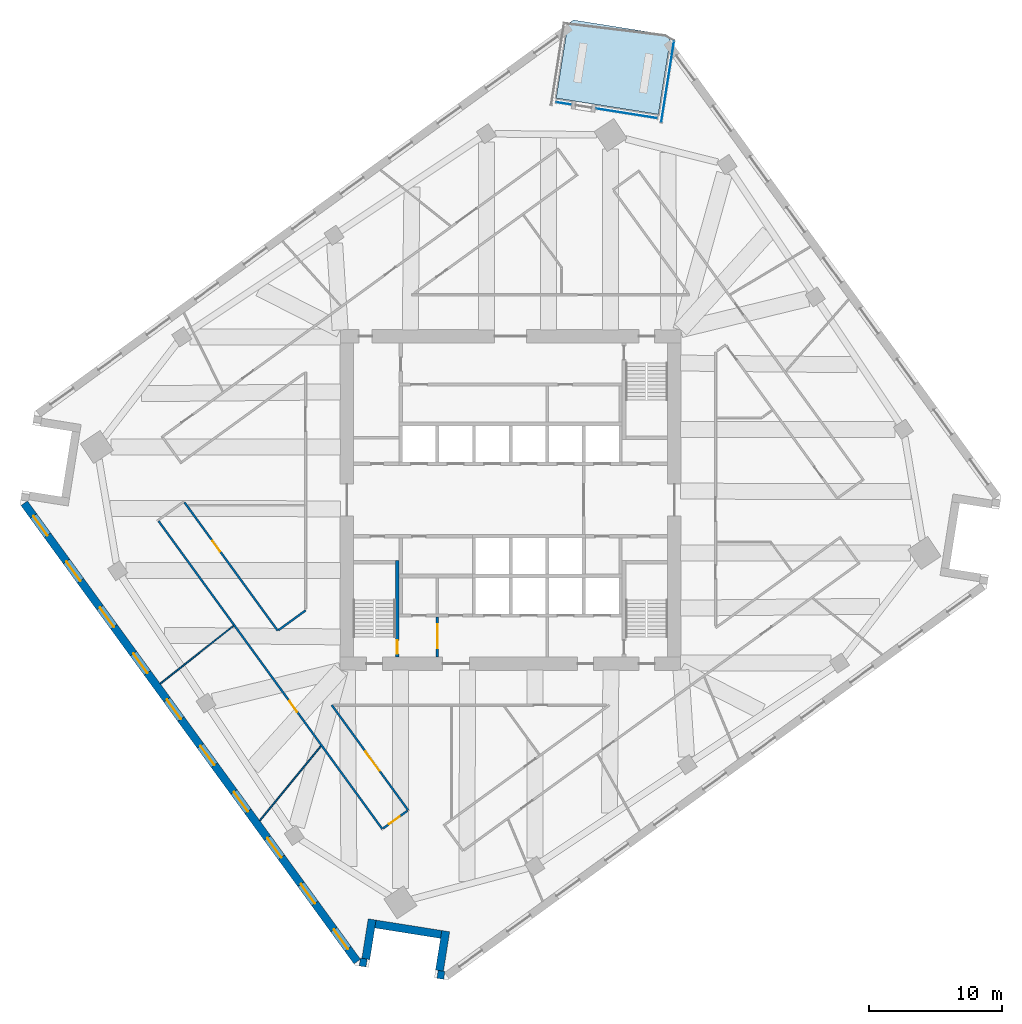
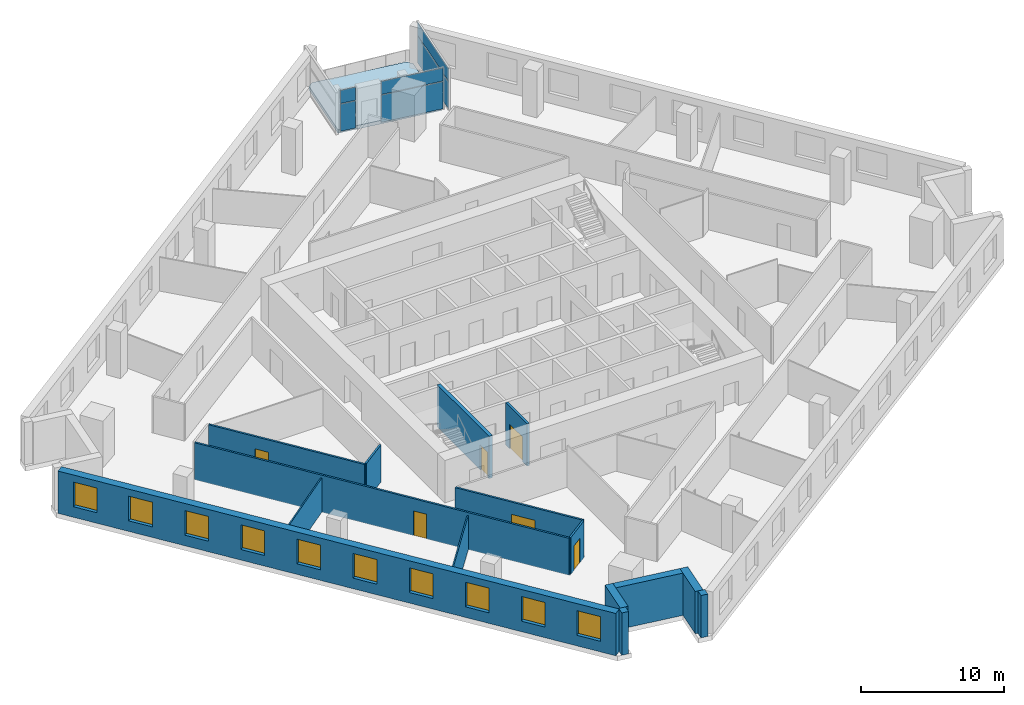
# One storey, part 4 of 11: 15 walls, 10 windows, 6 doors, 6 plates, 1 slab, 16 openings, 3 elements without a shape of their own.
"""IFC4 building model written with IfcOpenShell, lengths in metres."""

from ifc_helpers import new_model, si_unit, direction, frame, frame_2d, origin, origin_2d, place, context, subcontext, project, spatial, polyline, rectangle, outline, extrude, material, layer, layer_set, type_object, element, fill, aggregate, save


model = new_model("IFC4")

# Units and contexts
model_context = context("Model", 3, precision=1e-05, world=origin(), true_north=direction((0.0, 1.0)))
body_context = subcontext(model_context, "Body", "Model", "MODEL_VIEW")
ifc_project = project(units=[si_unit("LENGTHUNIT", "METRE"), si_unit("AREAUNIT", "SQUARE_METRE"), si_unit("VOLUMEUNIT", "CUBIC_METRE"), si_unit("PLANEANGLEUNIT", "RADIAN"), si_unit("MASSUNIT", "GRAM", prefix="KILO")], contexts=[model_context])

# Site, building, storey
site_placement = place(None, origin())
site = spatial("IfcSite", under=ifc_project, at=site_placement, CompositionType="ELEMENT")
building_placement = place(site_placement, origin())
building = spatial("IfcBuilding", under=site, at=building_placement, Name="Dilmun Exchange Tower", CompositionType="ELEMENT")
storey_placement = place(building_placement, frame((0.0, 0.0, 163.699951171875)))
storey = spatial("IfcBuildingStorey", under=building, at=storey_placement, Name="L38", CompositionType="ELEMENT", Elevation=163.699951171875)

# Curtain wall, plates
ifc_material_1 = material(Name="Anodised aluminium and clear glass", Category="aluminium")
curtain_wall_type = type_object("IfcCurtainWallType", Name="Garden corner glazing", PredefinedType="NOTDEFINED", material=ifc_material_1)
curtain_wall_1_placement = place(storey_placement, origin())
curtain_wall_1 = element("IfcCurtainWall", 1, at=curtain_wall_1_placement, inside=storey, type_object=curtain_wall_type, Name="Garden corner glazing run GC1.1", PredefinedType="NOTDEFINED")
ifc_material_2 = material(Name="Clear glass", Category="glass")
ifc_layer_1 = layer(ifc_material_2, 0.028076171875)
ifc_layer_set_1 = layer_set([ifc_layer_1], Name="Clear glass")
plate_type = type_object("IfcPlateType", Name="Garden corner glazing glass panel 28", PredefinedType="CURTAIN_PANEL", material=ifc_layer_set_1)
plate_1_placement = place(storey_placement, frame((11.79345703125, 31.410400390625, 0.06005859375), z_axis=(0.0, 0.0, 1.0), x_axis=(-0.15643936211, -0.987687564963, 0.0)))
plate_1 = element("IfcPlate", 2, at=plate_1_placement, type_object=plate_type, Name="GC1.1 panel 1.1", PredefinedType="CURTAIN_PANEL", context=body_context, shape_type="SweptSolid", body=[
    extrude(rectangle(XDim=6.12646484375, YDim=0.028076171875, at=origin_2d()), origin(), (0.0, 0.0, 1.0), 2.31005859375),
])
plate_2_placement = place(storey_placement, frame((11.79345703125, 31.410400390625, 2.43017578125), z_axis=(0.0, 0.0, 1.0), x_axis=(-0.15643936211, -0.987687564963, 0.0)))
plate_2 = element("IfcPlate", 3, at=plate_2_placement, type_object=plate_type, Name="GC1.1 panel 1.2", PredefinedType="CURTAIN_PANEL", context=body_context, shape_type="SweptSolid", body=[
    extrude(rectangle(XDim=6.12646484375, YDim=0.028076171875, at=origin_2d()), origin(), (0.0, 0.0, 1.0), 1.110107421875),
])
aggregate(curtain_wall_1, [plate_1, plate_2])

curtain_wall_2_placement = place(storey_placement, origin())
curtain_wall_2 = element("IfcCurtainWall", 4, at=curtain_wall_2_placement, inside=storey, type_object=curtain_wall_type, Name="Garden corner glazing run GC2.1", PredefinedType="NOTDEFINED")
plate_3_placement = place(storey_placement, frame((8.715087890625, 29.03955078125, 0.06005859375), z_axis=(0.0, 0.0, 1.0), x_axis=(-0.987690488636, 0.156420902238, 0.0)))
plate_3 = element("IfcPlate", 5, at=plate_3_placement, type_object=plate_type, Name="GC2.1 panel 1.1", PredefinedType="CURTAIN_PANEL", context=body_context, shape_type="SweptSolid", body=[
    extrude(rectangle(XDim=4.619140625, YDim=0.028076171875, at=origin_2d()), origin(), (0.0, 0.0, 1.0), 2.31005859375),
])
plate_4_placement = place(storey_placement, frame((8.715087890625, 29.03955078125, 2.43017578125), z_axis=(0.0, 0.0, 1.0), x_axis=(-0.987690488636, 0.156420902238, 0.0)))
plate_4 = element("IfcPlate", 6, at=plate_4_placement, type_object=plate_type, Name="GC2.1 panel 1.2", PredefinedType="CURTAIN_PANEL", context=body_context, shape_type="SweptSolid", body=[
    extrude(rectangle(XDim=4.619140625, YDim=0.028076171875, at=origin_2d()), origin(), (0.0, 0.0, 1.0), 1.110107421875),
])
aggregate(curtain_wall_2, [plate_3, plate_4])

curtain_wall_3_placement = place(storey_placement, origin())
curtain_wall_3 = element("IfcCurtainWall", 7, at=curtain_wall_3_placement, inside=storey, type_object=curtain_wall_type, Name="Garden corner glazing run GC2.3", PredefinedType="NOTDEFINED")
plate_5_placement = place(storey_placement, frame((3.985107421875, 29.78857421875, 0.06005859375), z_axis=(0.0, 0.0, 1.0), x_axis=(-0.987679719757, 0.156488885164, 0.0)))
plate_5 = element("IfcPlate", 8, at=plate_5_placement, type_object=plate_type, Name="GC2.3 panel 1.1", PredefinedType="CURTAIN_PANEL", context=body_context, shape_type="SweptSolid", body=[
    extrude(rectangle(XDim=1.119140625, YDim=0.028076171875, at=origin_2d()), origin(), (0.0, 0.0, 1.0), 2.31005859375),
])
plate_6_placement = place(storey_placement, frame((3.985107421875, 29.78857421875, 2.43017578125), z_axis=(0.0, 0.0, 1.0), x_axis=(-0.987679719757, 0.156488885164, 0.0)))
plate_6 = element("IfcPlate", 9, at=plate_6_placement, type_object=plate_type, Name="GC2.3 panel 1.2", PredefinedType="CURTAIN_PANEL", context=body_context, shape_type="SweptSolid", body=[
    extrude(rectangle(XDim=1.119140625, YDim=0.028076171875, at=origin_2d()), origin(), (0.0, 0.0, 1.0), 1.110107421875),
])
aggregate(curtain_wall_3, [plate_5, plate_6])

# Slab
ifc_material_3 = material(Name="Concrete C40/50", Category="concrete")
ifc_layer_2 = layer(ifc_material_3, 0.300048828125)
ifc_layer_set_2 = layer_set([ifc_layer_2], Name="Concrete C40/50")
slab_type = type_object("IfcSlabType", Name="RC garden terrace slab 300", PredefinedType="FLOOR", material=ifc_layer_set_2)
slab_placement = place(storey_placement, frame((0.0, 0.0, -0.300048828125)))
element("IfcSlab", 10, at=slab_placement, inside=storey, type_object=slab_type, Name="Garden terrace slab", PredefinedType="FLOOR", context=body_context, shape_type="SweptSolid", body=[
    extrude(outline(polyline([(3.420166015625, 30.181884765625), (4.303466796875, 35.7587890625), (4.7080078125, 36.052734375), (11.69189453125, 34.946533203125), (11.98583984375, 34.5419921875), (11.1025390625, 28.965087890625), (3.420166015625, 30.181884765625)])), origin(), (0.0, 0.0, 1.0), 0.300048828125),
])

# Wall, opening, door
ifc_layer_3 = layer(ifc_material_3, 0.199951171875)
ifc_layer_set_3 = layer_set([ifc_layer_3], Name="Concrete C40/50")
wall_type_1 = type_object("IfcWallType", Name="Core partition wall 200", PredefinedType="PARTITIONING", material=ifc_layer_set_3)
wall_1_placement = place(storey_placement, frame((-5.5, -11.794921875, 0.0), z_axis=(0.0, 0.0, 1.0), x_axis=(0.0, 1.0, 0.0)))
wall_1 = element("IfcWall", 11, at=wall_1_placement, inside=storey, type_object=wall_type_1, Name="L38 core partition wall 01", PredefinedType="PARTITIONING", context=body_context, shape_type="SweptSolid", body=[
    extrude(rectangle(XDim=2.989990234375, YDim=0.199951171875, at=frame_2d((1.4951171875, 0.0))), origin(), (0.0, 0.0, 1.0), 3.60009765625),
])
opening_1_placement = place(wall_1_placement, frame((0.657470703125, 0.0, 0.0)))
opening_1 = element("IfcOpeningElement", 12, at=opening_1_placement, cuts=wall_1, Name="Opening CD5", PredefinedType="OPENING", context=body_context, shape_type="SweptSolid", body=[
    extrude(rectangle(XDim=1.800048828125, YDim=2.10009765625, at=frame_2d((0.89990234375, 1.050048828125))), frame((0.0, 0.10986328125, 0.0), z_axis=(0.0, -1.0, 0.0), x_axis=(1.0, 0.0, 0.0)), (0.0, 0.0, 1.0), 0.219970703125),
])
ifc_material_4 = material(Name="Fire-rated steel door set", Category="steel")
door_type_1 = type_object("IfcDoorType", Name="Stair exit door 1800x2100", OperationType="SINGLE_SWING_LEFT", PredefinedType="DOOR", material=ifc_material_4)
door_1_placement = place(opening_1_placement, origin())
door_1 = element("IfcDoor", 13, at=door_1_placement, inside=storey, type_object=door_type_1, Name="L38 door Service lobby east", OperationType="SINGLE_SWING_LEFT", OverallHeight=2.10009765625, OverallWidth=1.800048828125, PredefinedType="DOOR", context=body_context, shape_type="SweptSolid", body=[
    extrude(rectangle(XDim=1.800048828125, YDim=2.10009765625, at=frame_2d((0.89990234375, 1.050048828125))), frame((0.0, 0.02490234375, 0.0), z_axis=(0.0, -1.0, 0.0), x_axis=(1.0, 0.0, 0.0)), (0.0, 0.0, 1.0), 0.050048828125),
])
fill(opening_1, door_1)

ifc_material_5 = material(Name="Corridor wall 150")
ifc_layer_4 = layer(ifc_material_5, 0.14990234375)
ifc_layer_set_4 = layer_set([ifc_layer_4], Name="Corridor wall 150")
wall_type_2 = type_object("IfcWallType", Name="Corridor wall 150", PredefinedType="PARTITIONING", material=ifc_layer_set_4)
wall_2_placement = place(storey_placement, frame((-26.43701171875, -1.588623046875, 0.0), z_axis=(0.0, 0.0, 1.0), x_axis=(0.587768879666, -0.809028889531, 0.0)))
wall_2 = element("IfcWall", 14, at=wall_2_placement, inside=storey, type_object=wall_type_2, Name="Corridor wall", PredefinedType="PARTITIONING", context=body_context, shape_type="SweptSolid", body=[
    extrude(rectangle(XDim=28.582763671875, YDim=0.14990234375, at=frame_2d((14.29150390625, 0.0))), origin(), (0.0, 0.0, 1.0), 3.150146484375),
])
opening_2_placement = place(wall_2_placement, frame((16.7109375, 0.0, 0.0)))
opening_2 = element("IfcOpeningElement", 15, at=opening_2_placement, cuts=wall_2, Name="Opening TF38-D03", PredefinedType="OPENING", context=body_context, shape_type="SweptSolid", body=[
    extrude(rectangle(XDim=1.0, YDim=2.10009765625, at=frame_2d((0.5, 1.050048828125))), frame((0.0, 0.0849609375, 0.0), z_axis=(0.0, -1.0, 0.0), x_axis=(1.0, 0.0, 0.0)), (0.0, 0.0, 1.0), 0.169921875),
])
ifc_material_6 = material(Name="Fire door 1000 x 2100")
door_type_2 = type_object("IfcDoorType", Name="Fire door 1000 x 2100", OperationType="NOTDEFINED", PredefinedType="DOOR", material=ifc_material_6)
door_2_placement = place(opening_2_placement, frame((1.0, 0.0, 0.0), z_axis=(0.0, 0.0, 1.0), x_axis=(-1.0, 0.0, 0.0)))
door_2 = element("IfcDoor", 16, at=door_2_placement, inside=storey, type_object=door_type_2, Name="Door TF38-D03", OperationType="SINGLE_SWING_LEFT", OverallHeight=2.10009765625, OverallWidth=1.0, PredefinedType="DOOR", context=body_context, shape_type="SweptSolid", body=[
    extrude(rectangle(XDim=1.0, YDim=2.10009765625, at=frame_2d((0.5, 1.050048828125))), frame((0.0, 0.02490234375, 0.0), z_axis=(0.0, -1.0, 0.0), x_axis=(1.0, 0.0, 0.0)), (0.0, 0.0, 1.0), 0.050048828125),
])
fill(opening_2, door_2)

wall_3_placement = place(storey_placement, frame((-24.494873046875, -0.1787109375, 0.0), z_axis=(0.0, 0.0, 1.0), x_axis=(0.587806096184, -0.809001849991, 0.0)))
wall_3 = element("IfcWall", 17, at=wall_3_placement, inside=storey, type_object=wall_type_2, Name="Corridor wall", PredefinedType="PARTITIONING", context=body_context, shape_type="SweptSolid", body=[
    extrude(rectangle(XDim=11.91357421875, YDim=0.14990234375, at=frame_2d((5.956787109375, 0.0))), origin(), (0.0, 0.0, 1.0), 3.150146484375),
])
opening_3_placement = place(wall_3_placement, frame((3.567626953125, 0.0, 0.0)))
opening_3 = element("IfcOpeningElement", 18, at=opening_3_placement, cuts=wall_3, Name="Opening TF38-D05", PredefinedType="OPENING", context=body_context, shape_type="SweptSolid", body=[
    extrude(rectangle(XDim=1.0, YDim=2.10009765625, at=frame_2d((0.5, 1.050048828125))), frame((0.0, 0.0849609375, 0.0), z_axis=(0.0, -1.0, 0.0), x_axis=(1.0, 0.0, 0.0)), (0.0, 0.0, 1.0), 0.169921875),
])
door_3_placement = place(opening_3_placement, origin())
door_3 = element("IfcDoor", 19, at=door_3_placement, inside=storey, type_object=door_type_2, Name="Door TF38-D05", OperationType="SINGLE_SWING_RIGHT", OverallHeight=2.10009765625, OverallWidth=1.0, PredefinedType="DOOR", context=body_context, shape_type="SweptSolid", body=[
    extrude(rectangle(XDim=1.0, YDim=2.10009765625, at=frame_2d((0.5, 1.050048828125))), frame((0.0, 0.02490234375, 0.0), z_axis=(0.0, -1.0, 0.0), x_axis=(1.0, 0.0, 0.0)), (0.0, 0.0, 1.0), 0.050048828125),
])
fill(opening_3, door_3)

# Wall
wall_4_placement = place(storey_placement, frame((-17.431396484375, -9.77294921875, 0.0), z_axis=(0.0, 0.0, 1.0), x_axis=(0.809042902641, 0.587749590971, 0.0)))
element("IfcWall", 20, at=wall_4_placement, inside=storey, type_object=wall_type_2, Name="Corridor wall", PredefinedType="PARTITIONING", context=body_context, shape_type="SweptSolid", body=[
    extrude(rectangle(XDim=2.510986328125, YDim=0.14990234375, at=frame_2d((1.25537109375, 0.0))), origin(), (0.0, 0.0, 1.0), 3.150146484375),
])

# Wall, opening, door
wall_5_placement = place(storey_placement, frame((-13.43603515625, -15.39990234375, 0.0), z_axis=(0.0, 0.0, 1.0), x_axis=(0.58776885963, -0.809028904088, 0.0)))
wall_5 = element("IfcWall", 21, at=wall_5_placement, inside=storey, type_object=wall_type_2, Name="Corridor wall", PredefinedType="PARTITIONING", context=body_context, shape_type="SweptSolid", body=[
    extrude(rectangle(XDim=9.767333984375, YDim=0.14990234375, at=frame_2d((4.8837890625, 0.0))), origin(), (0.0, 0.0, 1.0), 3.150146484375),
])
opening_4_placement = place(wall_5_placement, frame((4.300048828125, 0.0, 0.0)))
opening_4 = element("IfcOpeningElement", 22, at=opening_4_placement, cuts=wall_5, Name="Opening TF38-D07", PredefinedType="OPENING", context=body_context, shape_type="SweptSolid", body=[
    extrude(rectangle(XDim=1.800048828125, YDim=2.10009765625, at=frame_2d((0.89990234375, 1.050048828125))), frame((0.0, 0.0849609375, 0.0), z_axis=(0.0, -1.0, 0.0), x_axis=(1.0, 0.0, 0.0)), (0.0, 0.0, 1.0), 0.169921875),
])
ifc_material_7 = material(Name="Fire door pair 1800 x 2100")
door_type_3 = type_object("IfcDoorType", Name="Fire door pair 1800 x 2100", OperationType="NOTDEFINED", PredefinedType="DOOR", material=ifc_material_7)
door_4_placement = place(opening_4_placement, origin())
door_4 = element("IfcDoor", 23, at=door_4_placement, inside=storey, type_object=door_type_3, Name="Door TF38-D07", OperationType="DOUBLE_DOOR_SINGLE_SWING", OverallHeight=2.10009765625, OverallWidth=1.800048828125, PredefinedType="DOOR", context=body_context, shape_type="SweptSolid", body=[
    extrude(rectangle(XDim=1.800048828125, YDim=2.10009765625, at=frame_2d((0.89990234375, 1.050048828125))), frame((0.0, 0.02490234375, 0.0), z_axis=(0.0, -1.0, 0.0), x_axis=(1.0, 0.0, 0.0)), (0.0, 0.0, 1.0), 0.050048828125),
])
fill(opening_4, door_4)

wall_6_placement = place(storey_placement, frame((-9.576416015625, -24.6689453125, 0.0), z_axis=(0.0, 0.0, 1.0), x_axis=(0.809045580708, 0.587745904569, 0.0)))
wall_6 = element("IfcWall", 24, at=wall_6_placement, inside=storey, type_object=wall_type_2, Name="Corridor wall", PredefinedType="PARTITIONING", context=body_context, shape_type="SweptSolid", body=[
    extrude(rectangle(XDim=2.25048828125, YDim=0.14990234375, at=frame_2d((1.125244140625, 0.0))), origin(), (0.0, 0.0, 1.0), 3.150146484375),
])
opening_5_placement = place(wall_6_placement, frame((0.550048828125, 0.0, 0.0)))
opening_5 = element("IfcOpeningElement", 25, at=opening_5_placement, cuts=wall_6, Name="Opening TF38-D08", PredefinedType="OPENING", context=body_context, shape_type="SweptSolid", body=[
    extrude(rectangle(XDim=1.0, YDim=2.10009765625, at=frame_2d((0.5, 1.050048828125))), frame((0.0, 0.0849609375, 0.0), z_axis=(0.0, -1.0, 0.0), x_axis=(1.0, 0.0, 0.0)), (0.0, 0.0, 1.0), 0.169921875),
])
door_5_placement = place(opening_5_placement, frame((1.0, 0.0, 0.0), z_axis=(0.0, 0.0, 1.0), x_axis=(-1.0, 0.0, 0.0)))
door_5 = element("IfcDoor", 26, at=door_5_placement, inside=storey, type_object=door_type_2, Name="Door TF38-D08", OperationType="SINGLE_SWING_LEFT", OverallHeight=2.10009765625, OverallWidth=1.0, PredefinedType="DOOR", context=body_context, shape_type="SweptSolid", body=[
    extrude(rectangle(XDim=1.0, YDim=2.10009765625, at=frame_2d((0.5, 1.050048828125))), frame((0.0, 0.02490234375, 0.0), z_axis=(0.0, -1.0, 0.0), x_axis=(1.0, 0.0, 0.0)), (0.0, 0.0, 1.0), 0.050048828125),
])
fill(opening_5, door_5)

# Walls
ifc_material_8 = material(Name="Partition 100")
ifc_layer_5 = layer(ifc_material_8, 0.10009765625)
ifc_layer_set_5 = layer_set([ifc_layer_5], Name="Partition 100")
wall_type_3 = type_object("IfcWallType", Name="Partition 100", PredefinedType="PARTITIONING", material=ifc_layer_set_5)
wall_7_placement = place(storey_placement, frame((-26.3134765625, -13.79736328125, 0.0), z_axis=(0.0, 0.0, 1.0), x_axis=(0.784436491328, 0.620209151072, 0.0)))
element("IfcWall", 27, at=wall_7_placement, inside=storey, type_object=wall_type_3, Name="Partition", PredefinedType="PARTITIONING", context=body_context, shape_type="SweptSolid", body=[
    extrude(rectangle(XDim=7.0048828125, YDim=0.10009765625, at=frame_2d((3.50244140625, 0.0))), origin(), (0.0, 0.0, 1.0), 2.900146484375),
])
wall_8_placement = place(storey_placement, frame((-18.84228515625, -24.080810546875, 0.0), z_axis=(0.0, 0.0, 1.0), x_axis=(0.634911726152, 0.772584687911, 0.0)))
element("IfcWall", 28, at=wall_8_placement, inside=storey, type_object=wall_type_3, Name="Partition", PredefinedType="PARTITIONING", context=body_context, shape_type="SweptSolid", body=[
    extrude(rectangle(XDim=7.220947265625, YDim=0.10009765625, at=frame_2d((3.6103515625, 0.0))), origin(), (0.0, 0.0, 1.0), 2.900146484375),
])

# Wall, openings, windows
ifc_material_9 = material(Name="Precast concrete C50/60", Category="concrete")
ifc_layer_6 = layer(ifc_material_9, 0.60009765625)
ifc_layer_set_6 = layer_set([ifc_layer_6], Name="Precast concrete C50/60")
wall_type_4 = type_object("IfcWallType", Name="Precast stone-clad wall 600", PredefinedType="STANDARD", material=ifc_layer_set_6)
wall_9_placement = place(storey_placement, frame((-36.533447265625, -0.244873046875, 0.0), z_axis=(0.0, 0.0, 1.0), x_axis=(0.587787495615, -0.809015364501, 0.0)))
wall_9 = element("IfcWall", 29, at=wall_9_placement, inside=storey, type_object=wall_type_4, Name="Facade wall L38-09", PredefinedType="STANDARD", context=body_context, shape_type="SweptSolid", body=[
    extrude(rectangle(XDim=42.551513671875, YDim=0.60009765625, at=frame_2d((21.27587890625, 0.0))), origin(), (0.0, 0.0, 1.0), 3.60009765625),
])
opening_6_placement = place(wall_9_placement, frame((1.177978515625, 0.0, 0.89990234375)))
opening_6 = element("IfcOpeningElement", 30, at=opening_6_placement, cuts=wall_9, Name="Opening W180-210", PredefinedType="OPENING", context=body_context, shape_type="SweptSolid", body=[
    extrude(rectangle(XDim=1.800048828125, YDim=2.10009765625, at=frame_2d((0.89990234375, 1.050048828125))), frame((0.0, 0.31005859375, 0.0), z_axis=(0.0, -1.0, 0.0), x_axis=(1.0, 0.0, 0.0)), (0.0, 0.0, 1.0), 0.6201171875),
])
opening_7_placement = place(wall_9_placement, frame((5.395751953125, 0.0, 0.89990234375)))
opening_7 = element("IfcOpeningElement", 31, at=opening_7_placement, cuts=wall_9, Name="Opening W180-210", PredefinedType="OPENING", context=body_context, shape_type="SweptSolid", body=[
    extrude(rectangle(XDim=1.800048828125, YDim=2.10009765625, at=frame_2d((0.89990234375, 1.050048828125))), frame((0.0, 0.31005859375, 0.0), z_axis=(0.0, -1.0, 0.0), x_axis=(1.0, 0.0, 0.0)), (0.0, 0.0, 1.0), 0.6201171875),
])
opening_8_placement = place(wall_9_placement, frame((9.67578125, 0.0, 0.89990234375)))
opening_8 = element("IfcOpeningElement", 32, at=opening_8_placement, cuts=wall_9, Name="Opening W180-210", PredefinedType="OPENING", context=body_context, shape_type="SweptSolid", body=[
    extrude(rectangle(XDim=1.800048828125, YDim=2.10009765625, at=frame_2d((0.89990234375, 1.050048828125))), frame((0.0, 0.31005859375, 0.0), z_axis=(0.0, -1.0, 0.0), x_axis=(1.0, 0.0, 0.0)), (0.0, 0.0, 1.0), 0.6201171875),
])
opening_9_placement = place(wall_9_placement, frame((13.955810546875, 0.0, 0.89990234375)))
opening_9 = element("IfcOpeningElement", 33, at=opening_9_placement, cuts=wall_9, Name="Opening W180-210", PredefinedType="OPENING", context=body_context, shape_type="SweptSolid", body=[
    extrude(rectangle(XDim=1.800048828125, YDim=2.10009765625, at=frame_2d((0.89990234375, 1.050048828125))), frame((0.0, 0.31005859375, 0.0), z_axis=(0.0, -1.0, 0.0), x_axis=(1.0, 0.0, 0.0)), (0.0, 0.0, 1.0), 0.6201171875),
])
opening_10_placement = place(wall_9_placement, frame((18.235595703125, 0.0, 0.89990234375)))
opening_10 = element("IfcOpeningElement", 34, at=opening_10_placement, cuts=wall_9, Name="Opening W180-210", PredefinedType="OPENING", context=body_context, shape_type="SweptSolid", body=[
    extrude(rectangle(XDim=1.800048828125, YDim=2.10009765625, at=frame_2d((0.89990234375, 1.050048828125))), frame((0.0, 0.31005859375, 0.0), z_axis=(0.0, -1.0, 0.0), x_axis=(1.0, 0.0, 0.0)), (0.0, 0.0, 1.0), 0.6201171875),
])
opening_11_placement = place(wall_9_placement, frame((22.515625, 0.0, 0.89990234375)))
opening_11 = element("IfcOpeningElement", 35, at=opening_11_placement, cuts=wall_9, Name="Opening W180-210", PredefinedType="OPENING", context=body_context, shape_type="SweptSolid", body=[
    extrude(rectangle(XDim=1.800048828125, YDim=2.10009765625, at=frame_2d((0.89990234375, 1.050048828125))), frame((0.0, 0.31005859375, 0.0), z_axis=(0.0, -1.0, 0.0), x_axis=(1.0, 0.0, 0.0)), (0.0, 0.0, 1.0), 0.6201171875),
])
opening_12_placement = place(wall_9_placement, frame((26.795654296875, 0.0, 0.89990234375)))
opening_12 = element("IfcOpeningElement", 36, at=opening_12_placement, cuts=wall_9, Name="Opening W180-210", PredefinedType="OPENING", context=body_context, shape_type="SweptSolid", body=[
    extrude(rectangle(XDim=1.800048828125, YDim=2.10009765625, at=frame_2d((0.89990234375, 1.050048828125))), frame((0.0, 0.31005859375, 0.0), z_axis=(0.0, -1.0, 0.0), x_axis=(1.0, 0.0, 0.0)), (0.0, 0.0, 1.0), 0.6201171875),
])
opening_13_placement = place(wall_9_placement, frame((31.07568359375, 0.0, 0.89990234375)))
opening_13 = element("IfcOpeningElement", 37, at=opening_13_placement, cuts=wall_9, Name="Opening W180-210", PredefinedType="OPENING", context=body_context, shape_type="SweptSolid", body=[
    extrude(rectangle(XDim=1.800048828125, YDim=2.10009765625, at=frame_2d((0.89990234375, 1.050048828125))), frame((0.0, 0.31005859375, 0.0), z_axis=(0.0, -1.0, 0.0), x_axis=(1.0, 0.0, 0.0)), (0.0, 0.0, 1.0), 0.6201171875),
])
opening_14_placement = place(wall_9_placement, frame((35.355712890625, 0.0, 0.89990234375)))
opening_14 = element("IfcOpeningElement", 38, at=opening_14_placement, cuts=wall_9, Name="Opening W180-210", PredefinedType="OPENING", context=body_context, shape_type="SweptSolid", body=[
    extrude(rectangle(XDim=1.800048828125, YDim=2.10009765625, at=frame_2d((0.89990234375, 1.050048828125))), frame((0.0, 0.31005859375, 0.0), z_axis=(0.0, -1.0, 0.0), x_axis=(1.0, 0.0, 0.0)), (0.0, 0.0, 1.0), 0.6201171875),
])
opening_15_placement = place(wall_9_placement, frame((39.573486328125, 0.0, 0.89990234375)))
opening_15 = element("IfcOpeningElement", 39, at=opening_15_placement, cuts=wall_9, Name="Opening W180-210", PredefinedType="OPENING", context=body_context, shape_type="SweptSolid", body=[
    extrude(rectangle(XDim=1.800048828125, YDim=2.10009765625, at=frame_2d((0.89990234375, 1.050048828125))), frame((0.0, 0.31005859375, 0.0), z_axis=(0.0, -1.0, 0.0), x_axis=(1.0, 0.0, 0.0)), (0.0, 0.0, 1.0), 0.6201171875),
])
ifc_material_10 = material(Name="Clear low-emissivity glass in aluminium frame", Category="aluminium")
window_type = type_object("IfcWindowType", Name="Punched window 1800 x 2100", PartitioningType="DOUBLE_PANEL_VERTICAL", PredefinedType="WINDOW", material=ifc_material_10)
window_1_placement = place(opening_6_placement, origin())
window_1 = element("IfcWindow", 40, at=window_1_placement, inside=storey, type_object=window_type, Name="Window 10.1", OverallHeight=2.10009765625, OverallWidth=1.800048828125, PartitioningType="SINGLE_PANEL", PredefinedType="WINDOW", context=body_context, shape_type="SweptSolid", body=[
    extrude(rectangle(XDim=1.800048828125, YDim=2.10009765625, at=frame_2d((0.89990234375, 1.050048828125))), frame((0.0, 0.030029296875, 0.0), z_axis=(0.0, -1.0, 0.0), x_axis=(1.0, 0.0, 0.0)), (0.0, 0.0, 1.0), 0.06005859375),
])
fill(opening_6, window_1)
window_2_placement = place(opening_7_placement, origin())
window_2 = element("IfcWindow", 41, at=window_2_placement, inside=storey, type_object=window_type, Name="Window 10.2", OverallHeight=2.10009765625, OverallWidth=1.800048828125, PartitioningType="SINGLE_PANEL", PredefinedType="WINDOW", context=body_context, shape_type="SweptSolid", body=[
    extrude(rectangle(XDim=1.800048828125, YDim=2.10009765625, at=frame_2d((0.89990234375, 1.050048828125))), frame((0.0, 0.030029296875, 0.0), z_axis=(0.0, -1.0, 0.0), x_axis=(1.0, 0.0, 0.0)), (0.0, 0.0, 1.0), 0.06005859375),
])
fill(opening_7, window_2)
window_3_placement = place(opening_8_placement, origin())
window_3 = element("IfcWindow", 42, at=window_3_placement, inside=storey, type_object=window_type, Name="Window 10.3", OverallHeight=2.10009765625, OverallWidth=1.800048828125, PartitioningType="SINGLE_PANEL", PredefinedType="WINDOW", context=body_context, shape_type="SweptSolid", body=[
    extrude(rectangle(XDim=1.800048828125, YDim=2.10009765625, at=frame_2d((0.89990234375, 1.050048828125))), frame((0.0, 0.030029296875, 0.0), z_axis=(0.0, -1.0, 0.0), x_axis=(1.0, 0.0, 0.0)), (0.0, 0.0, 1.0), 0.06005859375),
])
fill(opening_8, window_3)
window_4_placement = place(opening_9_placement, origin())
window_4 = element("IfcWindow", 43, at=window_4_placement, inside=storey, type_object=window_type, Name="Window 10.4", OverallHeight=2.10009765625, OverallWidth=1.800048828125, PartitioningType="SINGLE_PANEL", PredefinedType="WINDOW", context=body_context, shape_type="SweptSolid", body=[
    extrude(rectangle(XDim=1.800048828125, YDim=2.10009765625, at=frame_2d((0.89990234375, 1.050048828125))), frame((0.0, 0.030029296875, 0.0), z_axis=(0.0, -1.0, 0.0), x_axis=(1.0, 0.0, 0.0)), (0.0, 0.0, 1.0), 0.06005859375),
])
fill(opening_9, window_4)
window_5_placement = place(opening_10_placement, origin())
window_5 = element("IfcWindow", 44, at=window_5_placement, inside=storey, type_object=window_type, Name="Window 10.5", OverallHeight=2.10009765625, OverallWidth=1.800048828125, PartitioningType="SINGLE_PANEL", PredefinedType="WINDOW", context=body_context, shape_type="SweptSolid", body=[
    extrude(rectangle(XDim=1.800048828125, YDim=2.10009765625, at=frame_2d((0.89990234375, 1.050048828125))), frame((0.0, 0.030029296875, 0.0), z_axis=(0.0, -1.0, 0.0), x_axis=(1.0, 0.0, 0.0)), (0.0, 0.0, 1.0), 0.06005859375),
])
fill(opening_10, window_5)
window_6_placement = place(opening_11_placement, origin())
window_6 = element("IfcWindow", 45, at=window_6_placement, inside=storey, type_object=window_type, Name="Window 10.6", OverallHeight=2.10009765625, OverallWidth=1.800048828125, PartitioningType="SINGLE_PANEL", PredefinedType="WINDOW", context=body_context, shape_type="SweptSolid", body=[
    extrude(rectangle(XDim=1.800048828125, YDim=2.10009765625, at=frame_2d((0.89990234375, 1.050048828125))), frame((0.0, 0.030029296875, 0.0), z_axis=(0.0, -1.0, 0.0), x_axis=(1.0, 0.0, 0.0)), (0.0, 0.0, 1.0), 0.06005859375),
])
fill(opening_11, window_6)
window_7_placement = place(opening_12_placement, origin())
window_7 = element("IfcWindow", 46, at=window_7_placement, inside=storey, type_object=window_type, Name="Window 10.7", OverallHeight=2.10009765625, OverallWidth=1.800048828125, PartitioningType="SINGLE_PANEL", PredefinedType="WINDOW", context=body_context, shape_type="SweptSolid", body=[
    extrude(rectangle(XDim=1.800048828125, YDim=2.10009765625, at=frame_2d((0.89990234375, 1.050048828125))), frame((0.0, 0.030029296875, 0.0), z_axis=(0.0, -1.0, 0.0), x_axis=(1.0, 0.0, 0.0)), (0.0, 0.0, 1.0), 0.06005859375),
])
fill(opening_12, window_7)
window_8_placement = place(opening_13_placement, origin())
window_8 = element("IfcWindow", 47, at=window_8_placement, inside=storey, type_object=window_type, Name="Window 10.8", OverallHeight=2.10009765625, OverallWidth=1.800048828125, PartitioningType="SINGLE_PANEL", PredefinedType="WINDOW", context=body_context, shape_type="SweptSolid", body=[
    extrude(rectangle(XDim=1.800048828125, YDim=2.10009765625, at=frame_2d((0.89990234375, 1.050048828125))), frame((0.0, 0.030029296875, 0.0), z_axis=(0.0, -1.0, 0.0), x_axis=(1.0, 0.0, 0.0)), (0.0, 0.0, 1.0), 0.06005859375),
])
fill(opening_13, window_8)
window_9_placement = place(opening_14_placement, origin())
window_9 = element("IfcWindow", 48, at=window_9_placement, inside=storey, type_object=window_type, Name="Window 10.9", OverallHeight=2.10009765625, OverallWidth=1.800048828125, PartitioningType="SINGLE_PANEL", PredefinedType="WINDOW", context=body_context, shape_type="SweptSolid", body=[
    extrude(rectangle(XDim=1.800048828125, YDim=2.10009765625, at=frame_2d((0.89990234375, 1.050048828125))), frame((0.0, 0.030029296875, 0.0), z_axis=(0.0, -1.0, 0.0), x_axis=(1.0, 0.0, 0.0)), (0.0, 0.0, 1.0), 0.06005859375),
])
fill(opening_14, window_9)
window_10_placement = place(opening_15_placement, origin())
window_10 = element("IfcWindow", 49, at=window_10_placement, inside=storey, type_object=window_type, Name="Window 10.10", OverallHeight=2.10009765625, OverallWidth=1.800048828125, PartitioningType="SINGLE_PANEL", PredefinedType="WINDOW", context=body_context, shape_type="SweptSolid", body=[
    extrude(rectangle(XDim=1.800048828125, YDim=2.10009765625, at=frame_2d((0.89990234375, 1.050048828125))), frame((0.0, 0.030029296875, 0.0), z_axis=(0.0, -1.0, 0.0), x_axis=(1.0, 0.0, 0.0)), (0.0, 0.0, 1.0), 0.06005859375),
])
fill(opening_15, window_10)

# Walls
wall_10_placement = place(storey_placement, frame((-11.32470703125, -34.700927734375, 0.0), z_axis=(0.0, 0.0, 1.0), x_axis=(0.987666012258, -0.156575375554, 0.0)))
element("IfcWall", 50, at=wall_10_placement, inside=storey, type_object=wall_type_4, Name="Facade wall L38-10", PredefinedType="STANDARD", context=body_context, shape_type="SweptSolid", body=[
    extrude(rectangle(XDim=0.511474609375, YDim=0.60009765625, at=frame_2d((0.255859375, 0.0))), origin(), (0.0, 0.0, 1.0), 3.60009765625),
])
wall_11_placement = place(storey_placement, frame((-10.87158203125, -34.468994140625, 0.0), z_axis=(0.0, 0.0, 1.0), x_axis=(0.156409699997, 0.987692262674, 0.0)))
element("IfcWall", 51, at=wall_11_placement, inside=storey, type_object=wall_type_4, Name="Facade wall L38-11", PredefinedType="STANDARD", context=body_context, shape_type="SweptSolid", body=[
    extrude(rectangle(XDim=3.0, YDim=0.60009765625, at=frame_2d((1.5, 0.0))), origin(), (0.0, 0.0, 1.0), 3.60009765625),
])
wall_12_placement = place(storey_placement, frame((-10.15283203125, -31.84912109375, 0.0), z_axis=(0.0, 0.0, 1.0), x_axis=(0.987686835152, -0.156443969736, 0.0)))
element("IfcWall", 52, at=wall_12_placement, inside=storey, type_object=wall_type_4, Name="Facade wall L38-12", PredefinedType="STANDARD", context=body_context, shape_type="SweptSolid", body=[
    extrude(rectangle(XDim=5.0, YDim=0.60009765625, at=frame_2d((2.5, 0.0))), origin(), (0.0, 0.0, 1.0), 3.60009765625),
])
wall_13_placement = place(storey_placement, frame((-4.87109375, -32.3818359375, 0.0), z_axis=(0.0, 0.0, 1.0), x_axis=(-0.156489086251, -0.987679687897, 0.0)))
element("IfcWall", 53, at=wall_13_placement, inside=storey, type_object=wall_type_4, Name="Facade wall L38-13", PredefinedType="STANDARD", context=body_context, shape_type="SweptSolid", body=[
    extrude(rectangle(XDim=3.0, YDim=0.60009765625, at=frame_2d((1.5, 0.0))), origin(), (0.0, 0.0, 1.0), 3.60009765625),
])
wall_14_placement = place(storey_placement, frame((-5.486083984375, -35.625732421875, 0.0), z_axis=(0.0, 0.0, 1.0), x_axis=(0.987728086963, -0.156183309689, 0.0)))
element("IfcWall", 54, at=wall_14_placement, inside=storey, type_object=wall_type_4, Name="Facade wall L38-14", PredefinedType="STANDARD", context=body_context, shape_type="SweptSolid", body=[
    extrude(rectangle(XDim=0.51123046875, YDim=0.60009765625, at=frame_2d((0.255615234375, 0.0))), origin(), (0.0, 0.0, 1.0), 3.60009765625),
])

# Wall, opening, door
ifc_layer_7 = layer(ifc_material_3, 0.27490234375)
ifc_layer_set_7 = layer_set([ifc_layer_7], Name="Concrete C40/50")
wall_type_5 = type_object("IfcWallType", Name="Stair wall 275", PredefinedType="SOLIDWALL", material=ifc_layer_set_7)
wall_15_placement = place(storey_placement, frame((-8.512451171875, -4.550048828125, 0.0), z_axis=(0.0, 0.0, 1.0), x_axis=(0.0, -1.0, 0.0)))
wall_15 = element("IfcWall", 55, at=wall_15_placement, inside=storey, type_object=wall_type_5, Name="L38 ST2 wall to lift block", PredefinedType="SOLIDWALL", context=body_context, shape_type="SweptSolid", body=[
    extrude(rectangle(XDim=7.25, YDim=0.27490234375, at=frame_2d((3.625, 0.0))), origin(), (0.0, 0.0, 1.0), 3.60009765625),
])
opening_16_placement = place(wall_15_placement, frame((6.0, 0.0, 0.0)))
opening_16 = element("IfcOpeningElement", 56, at=opening_16_placement, cuts=wall_15, Name="Opening CD4", PredefinedType="OPENING", context=body_context, shape_type="SweptSolid", body=[
    extrude(rectangle(XDim=1.0, YDim=2.10009765625, at=frame_2d((0.5, 1.050048828125))), frame((0.0, 0.1474609375, 0.0), z_axis=(0.0, -1.0, 0.0), x_axis=(1.0, 0.0, 0.0)), (0.0, 0.0, 1.0), 0.294921875),
])
door_type_4 = type_object("IfcDoorType", Name="Core room door 1000x2100", OperationType="SINGLE_SWING_LEFT", PredefinedType="DOOR", material=ifc_material_4)
door_6_placement = place(opening_16_placement, origin())
door_6 = element("IfcDoor", 57, at=door_6_placement, inside=storey, type_object=door_type_4, Name="L38 door ST2 from lobby", OperationType="SINGLE_SWING_LEFT", OverallHeight=2.10009765625, OverallWidth=1.0, PredefinedType="DOOR", context=body_context, shape_type="SweptSolid", body=[
    extrude(rectangle(XDim=1.0, YDim=2.10009765625, at=frame_2d((0.5, 1.050048828125))), frame((0.0, 0.02490234375, 0.0), z_axis=(0.0, -1.0, 0.0), x_axis=(1.0, 0.0, 0.0)), (0.0, 0.0, 1.0), 0.050048828125),
])
fill(opening_16, door_6)

save(model, "model.ifc")
